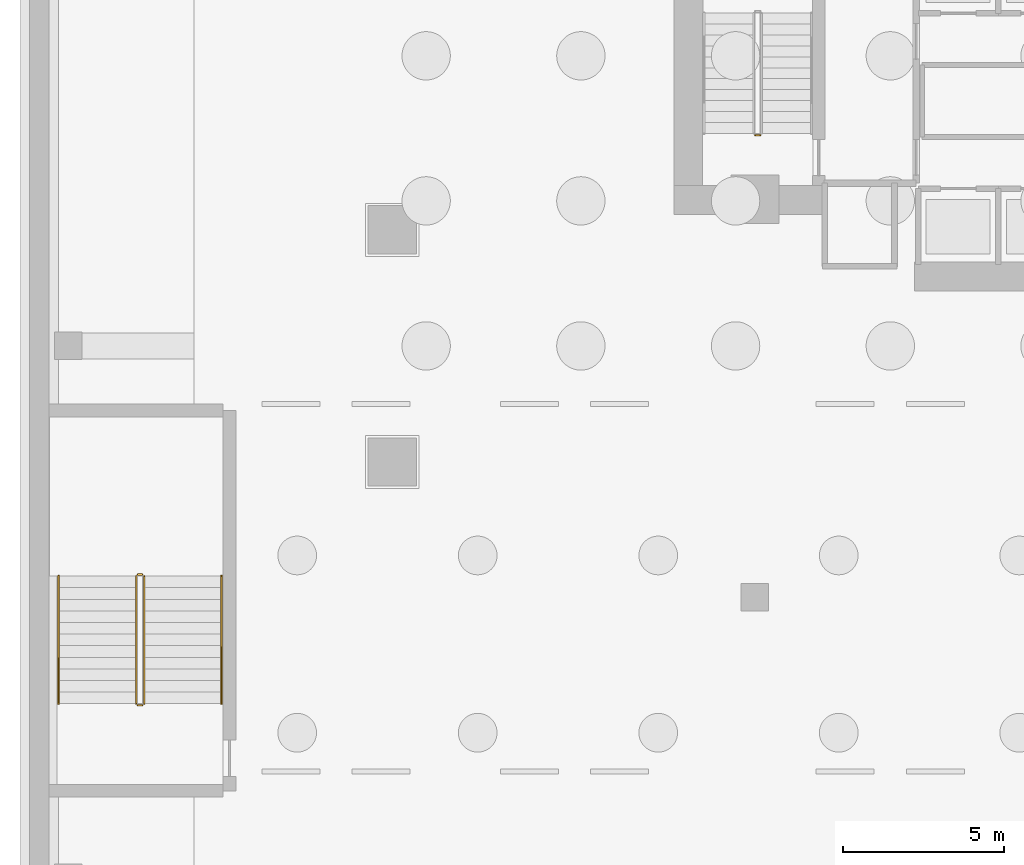
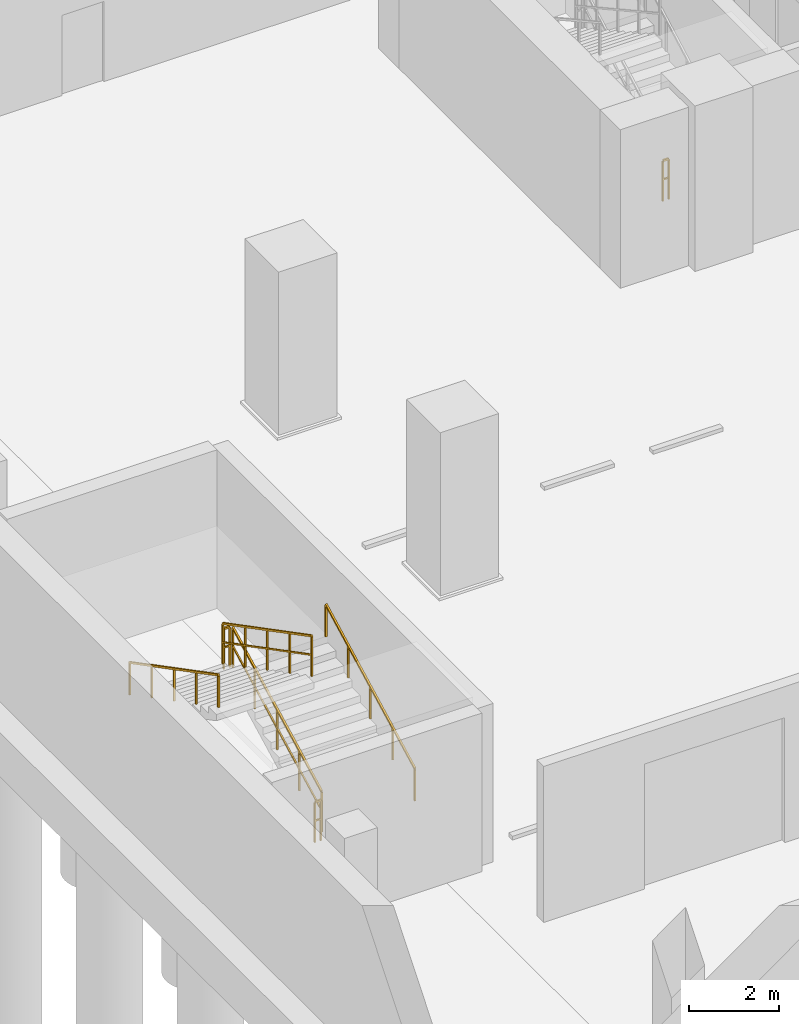
# One storey, part 8 of 13: 7 railings.
"""IFC4 building model written with IfcOpenShell, lengths in metres."""

from ifc_helpers import new_model, si_unit, direction, frame, origin, origin_2d, place, context, subcontext, project, spatial, rectangle, extrude, material, type_object, element, save


model = new_model("IFC4")

# Units and contexts
model_context = context("Model", 3, precision=1e-05, world=origin(), true_north=direction((0.0, 1.0)))
body_context = subcontext(model_context, "Body", "Model", "MODEL_VIEW")
ifc_project = project(units=[si_unit("LENGTHUNIT", "METRE"), si_unit("AREAUNIT", "SQUARE_METRE"), si_unit("VOLUMEUNIT", "CUBIC_METRE"), si_unit("PLANEANGLEUNIT", "RADIAN"), si_unit("MASSUNIT", "GRAM", prefix="KILO")], contexts=[model_context])

# Site, building, storey
site_placement = place(None, origin())
site = spatial("IfcSite", under=ifc_project, at=site_placement, CompositionType="ELEMENT")
building_placement = place(site_placement, origin())
building = spatial("IfcBuilding", under=site, at=building_placement, Name="Zuhayl Quay Hotel", CompositionType="ELEMENT")
storey_placement = place(building_placement, frame((0.0, 0.0, -9.0)))
storey = spatial("IfcBuildingStorey", under=building, at=storey_placement, Name="B2", CompositionType="ELEMENT", Elevation=-9.0)

# Railings
ifc_material = material(Name="Steel ASTM A992 Grade 50", Category="steel")
railing_type_1 = type_object("IfcRailingType", Name="RL_GUARD_1100", PredefinedType="GUARDRAIL", material=ifc_material)
railing_1_placement = place(storey_placement, frame((-13.639892578125, 6.5400390625, 0.0)))
element("IfcRailing", 1, at=railing_1_placement, inside=storey, type_object=railing_type_1, Name="B2 ST1 stair guard 4", PredefinedType="GUARDRAIL", context=body_context, shape_type="SweptSolid", body=[
    extrude(rectangle(XDim=0.048095703125, YDim=0.048095703125, at=origin_2d()), frame((0.0, 0.0, 1.09619140625), z_axis=(-1.0, 0.0, 0.0), x_axis=(0.0, -1.0, 0.0)), (0.0, 0.0, 1.0), 0.150146484375),
    extrude(rectangle(XDim=0.0361328125, YDim=0.0361328125, at=origin_2d()), frame((0.0, 0.0, 0.58251953125), z_axis=(-1.0, 0.0, 0.0), x_axis=(0.0, -1.0, 0.0)), (0.0, 0.0, 1.0), 0.150146484375),
    extrude(rectangle(XDim=0.0419921875, YDim=0.0419921875, at=origin_2d()), origin(), (0.0, 0.0, 1.0), 1.072021484375),
    extrude(rectangle(XDim=0.0419921875, YDim=0.0419921875, at=origin_2d()), frame((-0.150146484375, 0.0, 0.0)), (0.0, 0.0, 1.0), 1.072021484375),
])
railing_2_placement = place(storey_placement, frame((-32.75, -11.10009765625, 0.1875)))
element("IfcRailing", 2, at=railing_2_placement, inside=storey, type_object=railing_type_1, Name="B2 ST3 stair guard 1", PredefinedType="GUARDRAIL", context=body_context, shape_type="SweptSolid", body=[
    extrude(rectangle(XDim=0.048095703125, YDim=0.048095703125, at=origin_2d()), frame((0.0, 0.0, 1.09619140625), z_axis=(0.0, 0.886923884477, 0.461915601755), x_axis=(-1.0, 0.0, 0.0)), (0.0, 0.0, 1.0), 4.465087890625),
    extrude(rectangle(XDim=0.0361328125, YDim=0.0361328125, at=origin_2d()), frame((0.0, 0.0, 0.58251953125), z_axis=(0.0, 0.886923884477, 0.461915601755), x_axis=(-1.0, 0.0, 0.0)), (0.0, 0.0, 1.0), 4.465087890625),
    extrude(rectangle(XDim=0.0419921875, YDim=0.0419921875, at=origin_2d()), origin(), (0.0, 0.0, 1.0), 1.072021484375),
    extrude(rectangle(XDim=0.0419921875, YDim=0.0419921875, at=origin_2d()), frame((0.0, 0.989990234375, 0.515625)), (0.0, 0.0, 1.0), 1.072021484375),
    extrude(rectangle(XDim=0.0419921875, YDim=0.0419921875, at=origin_2d()), frame((0.0, 1.97998046875, 1.03125)), (0.0, 0.0, 1.0), 1.072021484375),
    extrude(rectangle(XDim=0.0419921875, YDim=0.0419921875, at=origin_2d()), frame((0.0, 2.97021484375, 1.546875)), (0.0, 0.0, 1.0), 1.072021484375),
    extrude(rectangle(XDim=0.0419921875, YDim=0.0419921875, at=origin_2d()), frame((0.0, 3.960205078125, 2.0625)), (0.0, 0.0, 1.0), 1.072021484375),
])
railing_3_placement = place(storey_placement, frame((-32.800048828125, -7.090087890625, 2.25)))
element("IfcRailing", 3, at=railing_3_placement, inside=storey, type_object=railing_type_1, Name="B2 ST3 stair guard 2", PredefinedType="GUARDRAIL", context=body_context, shape_type="SweptSolid", body=[
    extrude(rectangle(XDim=0.048095703125, YDim=0.048095703125, at=origin_2d()), frame((0.0, 0.0, 1.09619140625), z_axis=(-1.0, 0.0, 0.0), x_axis=(0.0, -1.0, 0.0)), (0.0, 0.0, 1.0), 0.14990234375),
    extrude(rectangle(XDim=0.0361328125, YDim=0.0361328125, at=origin_2d()), frame((0.0, 0.0, 0.58251953125), z_axis=(-1.0, 0.0, 0.0), x_axis=(0.0, -1.0, 0.0)), (0.0, 0.0, 1.0), 0.14990234375),
    extrude(rectangle(XDim=0.0419921875, YDim=0.0419921875, at=origin_2d()), origin(), (0.0, 0.0, 1.0), 1.072021484375),
    extrude(rectangle(XDim=0.0419921875, YDim=0.0419921875, at=origin_2d()), frame((-0.14990234375, 0.0, 0.0)), (0.0, 0.0, 1.0), 1.072021484375),
])
railing_4_placement = place(storey_placement, frame((-33.0, -7.139892578125, 2.4375)))
element("IfcRailing", 4, at=railing_4_placement, inside=storey, type_object=railing_type_1, Name="B2 ST3 stair guard 3", PredefinedType="GUARDRAIL", context=body_context, shape_type="SweptSolid", body=[
    extrude(rectangle(XDim=0.048095703125, YDim=0.048095703125, at=origin_2d()), frame((0.0, 0.0, 1.09619140625), z_axis=(0.0, -0.886923884477, 0.461915601755), x_axis=(1.0, 0.0, 0.0)), (0.0, 0.0, 1.0), 4.465087890625),
    extrude(rectangle(XDim=0.0361328125, YDim=0.0361328125, at=origin_2d()), frame((0.0, 0.0, 0.58251953125), z_axis=(0.0, -0.886923884477, 0.461915601755), x_axis=(1.0, 0.0, 0.0)), (0.0, 0.0, 1.0), 4.465087890625),
    extrude(rectangle(XDim=0.0419921875, YDim=0.0419921875, at=origin_2d()), origin(), (0.0, 0.0, 1.0), 1.072021484375),
    extrude(rectangle(XDim=0.0419921875, YDim=0.0419921875, at=origin_2d()), frame((0.0, -0.989990234375, 0.515625)), (0.0, 0.0, 1.0), 1.072021484375),
    extrude(rectangle(XDim=0.0419921875, YDim=0.0419921875, at=origin_2d()), frame((0.0, -1.97998046875, 1.03125)), (0.0, 0.0, 1.0), 1.072021484375),
    extrude(rectangle(XDim=0.0419921875, YDim=0.0419921875, at=origin_2d()), frame((0.0, -2.97021484375, 1.546875)), (0.0, 0.0, 1.0), 1.072021484375),
    extrude(rectangle(XDim=0.0419921875, YDim=0.0419921875, at=origin_2d()), frame((0.0, -3.960205078125, 2.0625)), (0.0, 0.0, 1.0), 1.072021484375),
])
railing_5_placement = place(storey_placement, frame((-32.800048828125, -11.14990234375, 0.0)))
element("IfcRailing", 5, at=railing_5_placement, inside=storey, type_object=railing_type_1, Name="B2 ST3 stair guard 4", PredefinedType="GUARDRAIL", context=body_context, shape_type="SweptSolid", body=[
    extrude(rectangle(XDim=0.048095703125, YDim=0.048095703125, at=origin_2d()), frame((0.0, 0.0, 1.09619140625), z_axis=(-1.0, 0.0, 0.0), x_axis=(0.0, -1.0, 0.0)), (0.0, 0.0, 1.0), 0.14990234375),
    extrude(rectangle(XDim=0.0361328125, YDim=0.0361328125, at=origin_2d()), frame((0.0, 0.0, 0.58251953125), z_axis=(-1.0, 0.0, 0.0), x_axis=(0.0, -1.0, 0.0)), (0.0, 0.0, 1.0), 0.14990234375),
    extrude(rectangle(XDim=0.0419921875, YDim=0.0419921875, at=origin_2d()), origin(), (0.0, 0.0, 1.0), 1.072021484375),
    extrude(rectangle(XDim=0.0419921875, YDim=0.0419921875, at=origin_2d()), frame((-0.14990234375, 0.0, 0.0)), (0.0, 0.0, 1.0), 1.072021484375),
])
railing_type_2 = type_object("IfcRailingType", Name="RL_HANDRAIL_920", PredefinedType="HANDRAIL", material=ifc_material)
railing_6_placement = place(storey_placement, frame((-30.35009765625, -11.10009765625, 0.1875)))
element("IfcRailing", 6, at=railing_6_placement, inside=storey, type_object=railing_type_2, Name="B2 ST3 stair handrail 1", PredefinedType="HANDRAIL", context=body_context, shape_type="SweptSolid", body=[
    extrude(rectangle(XDim=0.048095703125, YDim=0.048095703125, at=origin_2d()), frame((0.0, 0.0, 0.8759765625), z_axis=(0.0, 0.886923884477, 0.461915601755), x_axis=(-1.0, 0.0, 0.0)), (0.0, 0.0, 1.0), 4.465087890625),
    extrude(rectangle(XDim=0.0419921875, YDim=0.0419921875, at=origin_2d()), origin(), (0.0, 0.0, 1.0), 0.851806640625),
    extrude(rectangle(XDim=0.0419921875, YDim=0.0419921875, at=origin_2d()), frame((0.0, 0.989990234375, 0.515625)), (0.0, 0.0, 1.0), 0.851806640625),
    extrude(rectangle(XDim=0.0419921875, YDim=0.0419921875, at=origin_2d()), frame((0.0, 1.97998046875, 1.03125)), (0.0, 0.0, 1.0), 0.851806640625),
    extrude(rectangle(XDim=0.0419921875, YDim=0.0419921875, at=origin_2d()), frame((0.0, 2.97021484375, 1.546875)), (0.0, 0.0, 1.0), 0.851806640625),
    extrude(rectangle(XDim=0.0419921875, YDim=0.0419921875, at=origin_2d()), frame((0.0, 3.960205078125, 2.0625)), (0.0, 0.0, 1.0), 0.851806640625),
])
railing_7_placement = place(storey_placement, frame((-35.39990234375, -7.139892578125, 2.4375)))
element("IfcRailing", 7, at=railing_7_placement, inside=storey, type_object=railing_type_2, Name="B2 ST3 stair handrail 2", PredefinedType="HANDRAIL", context=body_context, shape_type="SweptSolid", body=[
    extrude(rectangle(XDim=0.048095703125, YDim=0.048095703125, at=origin_2d()), frame((0.0, 0.0, 0.8759765625), z_axis=(0.0, -0.886923884477, 0.461915601755), x_axis=(1.0, 0.0, 0.0)), (0.0, 0.0, 1.0), 4.465087890625),
    extrude(rectangle(XDim=0.0419921875, YDim=0.0419921875, at=origin_2d()), origin(), (0.0, 0.0, 1.0), 0.851806640625),
    extrude(rectangle(XDim=0.0419921875, YDim=0.0419921875, at=origin_2d()), frame((0.0, -0.989990234375, 0.515625)), (0.0, 0.0, 1.0), 0.851806640625),
    extrude(rectangle(XDim=0.0419921875, YDim=0.0419921875, at=origin_2d()), frame((0.0, -1.97998046875, 1.03125)), (0.0, 0.0, 1.0), 0.851806640625),
    extrude(rectangle(XDim=0.0419921875, YDim=0.0419921875, at=origin_2d()), frame((0.0, -2.97021484375, 1.546875)), (0.0, 0.0, 1.0), 0.851806640625),
    extrude(rectangle(XDim=0.0419921875, YDim=0.0419921875, at=origin_2d()), frame((0.0, -3.960205078125, 2.0625)), (0.0, 0.0, 1.0), 0.851806640625),
])

save(model, "model.ifc")
